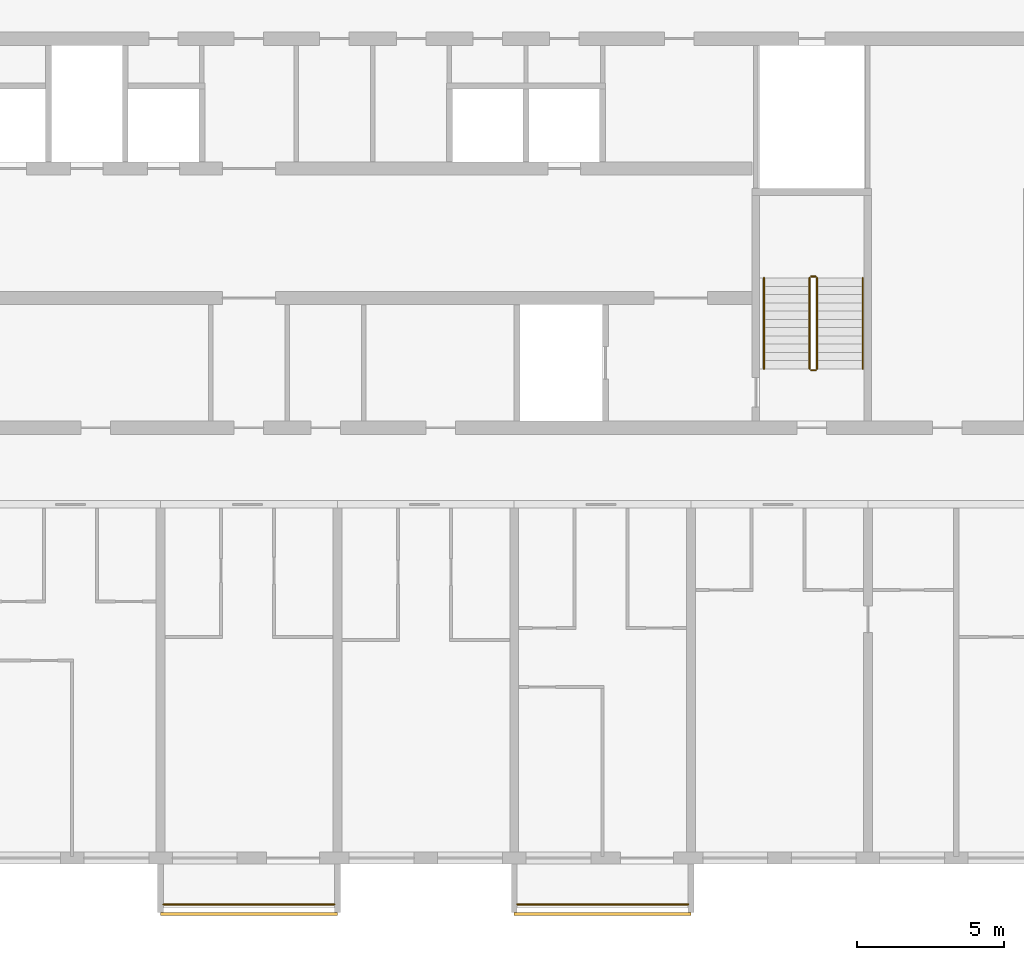
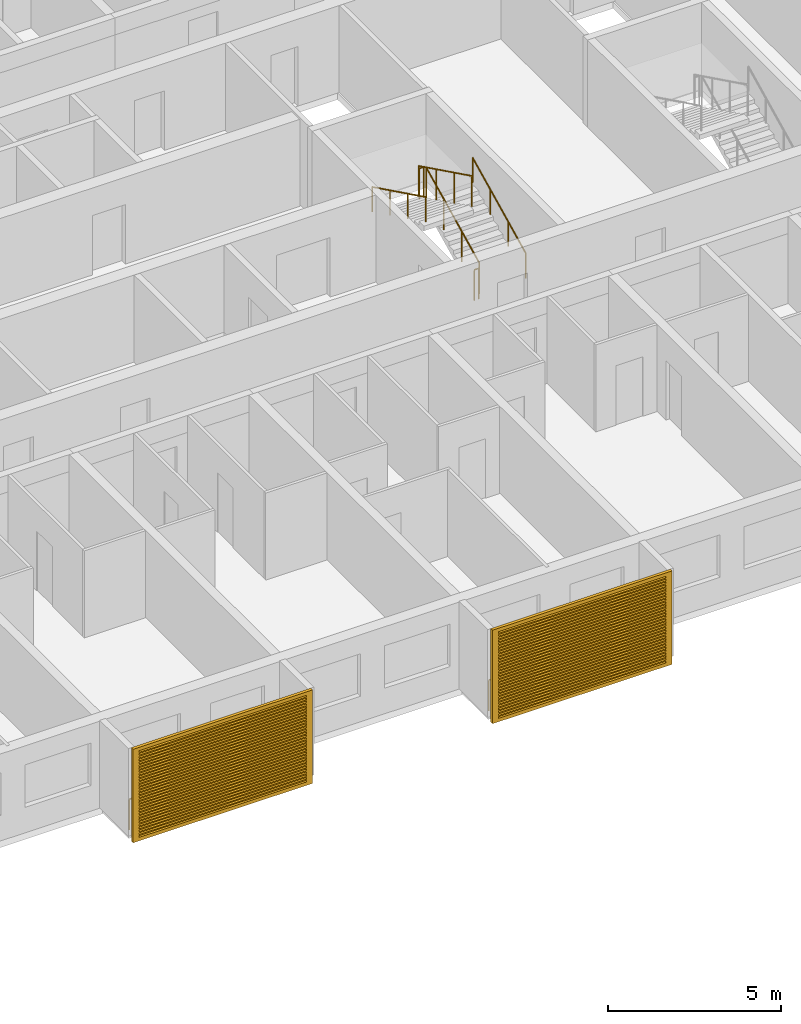
# One storey, part 15 of 31: 8 railings, 2 shading devices.
"""IFC4 building model written with IfcOpenShell, lengths in metres."""

from ifc_helpers import new_model, si_unit, direction, frame, origin, origin_2d, place, context, subcontext, project, spatial, polyline, circle, outline, extrude, source, transform, mapped, material, material_profile, profile_set, type_object, element, save


model = new_model("IFC4")

# Units and contexts
model_context = context("Model", 3, precision=1e-05, world=origin(), true_north=direction((0.0, 1.0)))
body_context = subcontext(model_context, "Body", "Model", "MODEL_VIEW")
ifc_project = project(units=[si_unit("LENGTHUNIT", "METRE"), si_unit("AREAUNIT", "SQUARE_METRE"), si_unit("VOLUMEUNIT", "CUBIC_METRE"), si_unit("PLANEANGLEUNIT", "RADIAN"), si_unit("MASSUNIT", "GRAM", prefix="KILO")], contexts=[model_context])

# Site, building, storey
site_placement = place(None, origin())
site = spatial("IfcSite", under=ifc_project, at=site_placement, CompositionType="ELEMENT")
building_placement = place(site_placement, origin())
building = spatial("IfcBuilding", under=site, at=building_placement, Name="Poui Terraces", CompositionType="ELEMENT")
storey_placement = place(building_placement, frame((0.0, 0.0, 148.800048828125)))
storey = spatial("IfcBuildingStorey", under=building, at=storey_placement, Name="L41", CompositionType="ELEMENT", Elevation=148.800048828125)

# Railings
ifc_material_1 = material(Name="Painted steel fretwork", Category="steel")
railing_type_1 = type_object("IfcRailingType", Name="BALCONY GUARD 1100", PredefinedType="GUARDRAIL", material=ifc_material_1)
for number, where, name in (
    (1, (48.10009765625, -1.570068359375, 0.0), "BALCONY GUARD"),
    (2, (60.10009765625, -1.570068359375, 0.0), "BALCONY GUARD"),
):
    element("IfcRailing", number, at=place(storey_placement, frame(where)), inside=storey, type_object=railing_type_1, Name=name, PredefinedType="GUARDRAIL", context=body_context, shape_type="SweptSolid", body=[
        extrude(circle(Radius=0.02392578125, at=origin_2d()), frame((0.0, 0.0, 1.076171875), z_axis=(1.0, 0.0, 0.0), x_axis=(0.0, 1.0, 0.0)), (0.0, 0.0, 1.0), 5.7998046875),
        extrude(circle(Radius=0.02099609375, at=origin_2d()), origin(), (0.0, 0.0, 1.0), 1.052001953125),
        extrude(circle(Radius=0.02099609375, at=origin_2d()), frame((0.966552734375, 0.0, 0.0)), (0.0, 0.0, 1.0), 1.052001953125),
        extrude(circle(Radius=0.02099609375, at=origin_2d()), frame((1.933349609375, 0.0, 0.0)), (0.0, 0.0, 1.0), 1.052001953125),
        extrude(circle(Radius=0.02099609375, at=origin_2d()), frame((2.89990234375, 0.0, 0.0)), (0.0, 0.0, 1.0), 1.052001953125),
        extrude(circle(Radius=0.02099609375, at=origin_2d()), frame((3.866455078125, 0.0, 0.0)), (0.0, 0.0, 1.0), 1.052001953125),
        extrude(circle(Radius=0.02099609375, at=origin_2d()), frame((4.833251953125, 0.0, 0.0)), (0.0, 0.0, 1.0), 1.052001953125),
        extrude(circle(Radius=0.02099609375, at=origin_2d()), frame((5.7998046875, 0.0, 0.0)), (0.0, 0.0, 1.0), 1.052001953125),
    ])
ifc_material_2 = material(Name="Galvanised steel balustrade", Category="steel")
railing_type_2 = type_object("IfcRailingType", Name="STAIR GUARD 1100", PredefinedType="GUARDRAIL", material=ifc_material_2)
railing_1_placement = place(storey_placement, frame((70.27490234375, 16.60009765625, 0.137451171875)))
element("IfcRailing", 3, at=railing_1_placement, inside=storey, type_object=railing_type_2, Name="L41 ST-CE stair guard 1", PredefinedType="GUARDRAIL", context=body_context, shape_type="SweptSolid", body=[
    extrude(circle(Radius=0.02392578125, at=origin_2d()), frame((0.0, 0.0, 1.076171875), z_axis=(0.0, 0.897606190399, 0.440798283751), x_axis=(-1.0, 0.0, 0.0)), (0.0, 0.0, 1.0), 3.43115234375),
    extrude(circle(Radius=0.02099609375, at=origin_2d()), origin(), (0.0, 0.0, 1.0), 1.052001953125),
    extrude(circle(Radius=0.02099609375, at=origin_2d()), frame((0.0, 1.026611328125, 0.504150390625)), (0.0, 0.0, 1.0), 1.052001953125),
    extrude(circle(Radius=0.02099609375, at=origin_2d()), frame((0.0, 2.05322265625, 1.00830078125)), (0.0, 0.0, 1.0), 1.052001953125),
    extrude(circle(Radius=0.02099609375, at=origin_2d()), frame((0.0, 3.079833984375, 1.512451171875)), (0.0, 0.0, 1.0), 1.052001953125),
])
railing_2_placement = place(storey_placement, frame((70.22509765625, 19.72998046875, 1.64990234375)))
element("IfcRailing", 4, at=railing_2_placement, inside=storey, type_object=railing_type_2, Name="L41 ST-CE stair guard 2", PredefinedType="GUARDRAIL", context=body_context, shape_type="SweptSolid", body=[
    extrude(circle(Radius=0.02392578125, at=origin_2d()), frame((0.0, 0.0, 1.076171875), z_axis=(-1.0, 0.0, 0.0), x_axis=(0.0, -1.0, 0.0)), (0.0, 0.0, 1.0), 0.150146484375),
    extrude(circle(Radius=0.02099609375, at=origin_2d()), origin(), (0.0, 0.0, 1.0), 1.052001953125),
    extrude(circle(Radius=0.02099609375, at=origin_2d()), frame((-0.150146484375, 0.0, 0.0)), (0.0, 0.0, 1.0), 1.052001953125),
])
railing_3_placement = place(storey_placement, frame((70.02490234375, 19.679931640625, 1.787353515625)))
element("IfcRailing", 5, at=railing_3_placement, inside=storey, type_object=railing_type_2, Name="L41 ST-CE stair guard 3", PredefinedType="GUARDRAIL", context=body_context, shape_type="SweptSolid", body=[
    extrude(circle(Radius=0.02392578125, at=origin_2d()), frame((0.0, 0.0, 1.076171875), z_axis=(0.0, -0.897578036475, 0.440855609512), x_axis=(1.0, 0.0, 0.0)), (0.0, 0.0, 1.0), 3.43115234375),
    extrude(circle(Radius=0.02099609375, at=origin_2d()), origin(), (0.0, 0.0, 1.0), 1.052001953125),
    extrude(circle(Radius=0.02099609375, at=origin_2d()), frame((0.0, -1.026611328125, 0.504150390625)), (0.0, 0.0, 1.0), 1.052001953125),
    extrude(circle(Radius=0.02099609375, at=origin_2d()), frame((0.0, -2.05322265625, 1.008544921875)), (0.0, 0.0, 1.0), 1.052001953125),
    extrude(circle(Radius=0.02099609375, at=origin_2d()), frame((0.0, -3.079833984375, 1.5126953125)), (0.0, 0.0, 1.0), 1.052001953125),
])
railing_4_placement = place(storey_placement, frame((70.22509765625, 16.550048828125, 0.0)))
element("IfcRailing", 6, at=railing_4_placement, inside=storey, type_object=railing_type_2, Name="L41 ST-CE stair guard 4", PredefinedType="GUARDRAIL", context=body_context, shape_type="SweptSolid", body=[
    extrude(circle(Radius=0.02392578125, at=origin_2d()), frame((0.0, 0.0, 1.076171875), z_axis=(-1.0, 0.0, 0.0), x_axis=(0.0, -1.0, 0.0)), (0.0, 0.0, 1.0), 0.150146484375),
    extrude(circle(Radius=0.02099609375, at=origin_2d()), origin(), (0.0, 0.0, 1.0), 1.052001953125),
    extrude(circle(Radius=0.02099609375, at=origin_2d()), frame((-0.150146484375, 0.0, 0.0)), (0.0, 0.0, 1.0), 1.052001953125),
])
ifc_material_3 = material(Name="Stainless steel handrail", Category="steel")
railing_type_3 = type_object("IfcRailingType", Name="STAIR HANDRAIL 900", PredefinedType="HANDRAIL", material=ifc_material_3)
railing_5_placement = place(storey_placement, frame((71.824951171875, 16.60009765625, 0.137451171875)))
element("IfcRailing", 7, at=railing_5_placement, inside=storey, type_object=railing_type_3, Name="L41 ST-CE stair handrail 1", PredefinedType="HANDRAIL", context=body_context, shape_type="SweptSolid", body=[
    extrude(circle(Radius=0.02392578125, at=origin_2d()), frame((0.0, 0.0, 0.8759765625), z_axis=(0.0, 0.897606190399, 0.440798283751), x_axis=(-1.0, 0.0, 0.0)), (0.0, 0.0, 1.0), 3.43115234375),
    extrude(circle(Radius=0.02099609375, at=origin_2d()), origin(), (0.0, 0.0, 1.0), 0.851806640625),
    extrude(circle(Radius=0.02099609375, at=origin_2d()), frame((0.0, 1.026611328125, 0.504150390625)), (0.0, 0.0, 1.0), 0.851806640625),
    extrude(circle(Radius=0.02099609375, at=origin_2d()), frame((0.0, 2.05322265625, 1.00830078125)), (0.0, 0.0, 1.0), 0.851806640625),
    extrude(circle(Radius=0.02099609375, at=origin_2d()), frame((0.0, 3.079833984375, 1.512451171875)), (0.0, 0.0, 1.0), 0.851806640625),
])
railing_6_placement = place(storey_placement, frame((68.47509765625, 19.679931640625, 1.787353515625)))
element("IfcRailing", 8, at=railing_6_placement, inside=storey, type_object=railing_type_3, Name="L41 ST-CE stair handrail 2", PredefinedType="HANDRAIL", context=body_context, shape_type="SweptSolid", body=[
    extrude(circle(Radius=0.02392578125, at=origin_2d()), frame((0.0, 0.0, 0.8759765625), z_axis=(0.0, -0.897578036475, 0.440855609512), x_axis=(1.0, 0.0, 0.0)), (0.0, 0.0, 1.0), 3.43115234375),
    extrude(circle(Radius=0.02099609375, at=origin_2d()), origin(), (0.0, 0.0, 1.0), 0.851806640625),
    extrude(circle(Radius=0.02099609375, at=origin_2d()), frame((0.0, -1.026611328125, 0.504150390625)), (0.0, 0.0, 1.0), 0.851806640625),
    extrude(circle(Radius=0.02099609375, at=origin_2d()), frame((0.0, -2.05322265625, 1.008544921875)), (0.0, 0.0, 1.0), 0.851806640625),
    extrude(circle(Radius=0.02099609375, at=origin_2d()), frame((0.0, -3.079833984375, 1.5126953125)), (0.0, 0.0, 1.0), 0.851806640625),
])

# Shading devices
ifc_material_4 = material(Name="Aluminium louvre", Category="aluminium")
ifc_material_profile = material_profile(ifc_material_4, outline(polyline([(-3.0, -1.64990234375), (3.0, -1.64990234375), (3.0, 1.64990234375), (-3.0, 1.64990234375), (-3.0, -1.64990234375)]), holes=[polyline([(-2.800048828125, -1.530029296875), (2.800048828125, -1.530029296875), (2.800048828125, -1.469970703125), (-2.800048828125, -1.469970703125), (-2.800048828125, -1.530029296875)]), polyline([(-2.800048828125, -1.429931640625), (2.800048828125, -1.429931640625), (2.800048828125, -1.3701171875), (-2.800048828125, -1.3701171875), (-2.800048828125, -1.429931640625)]), polyline([(-2.800048828125, -1.330078125), (2.800048828125, -1.330078125), (2.800048828125, -1.27001953125), (-2.800048828125, -1.27001953125), (-2.800048828125, -1.330078125)]), polyline([(-2.800048828125, -1.22998046875), (2.800048828125, -1.22998046875), (2.800048828125, -1.169921875), (-2.800048828125, -1.169921875), (-2.800048828125, -1.22998046875)]), polyline([(-2.800048828125, -1.1298828125), (2.800048828125, -1.1298828125), (2.800048828125, -1.070068359375), (-2.800048828125, -1.070068359375), (-2.800048828125, -1.1298828125)]), polyline([(-2.800048828125, -1.030029296875), (2.800048828125, -1.030029296875), (2.800048828125, -0.969970703125), (-2.800048828125, -0.969970703125), (-2.800048828125, -1.030029296875)]), polyline([(-2.800048828125, -0.929931640625), (2.800048828125, -0.929931640625), (2.800048828125, -0.8701171875), (-2.800048828125, -0.8701171875), (-2.800048828125, -0.929931640625)]), polyline([(-2.800048828125, -0.830078125), (2.800048828125, -0.830078125), (2.800048828125, -0.77001953125), (-2.800048828125, -0.77001953125), (-2.800048828125, -0.830078125)]), polyline([(-2.800048828125, -0.72998046875), (2.800048828125, -0.72998046875), (2.800048828125, -0.669921875), (-2.800048828125, -0.669921875), (-2.800048828125, -0.72998046875)]), polyline([(-2.800048828125, -0.6298828125), (2.800048828125, -0.6298828125), (2.800048828125, -0.570068359375), (-2.800048828125, -0.570068359375), (-2.800048828125, -0.6298828125)]), polyline([(-2.800048828125, -0.530029296875), (2.800048828125, -0.530029296875), (2.800048828125, -0.469970703125), (-2.800048828125, -0.469970703125), (-2.800048828125, -0.530029296875)]), polyline([(-2.800048828125, -0.429931640625), (2.800048828125, -0.429931640625), (2.800048828125, -0.3701171875), (-2.800048828125, -0.3701171875), (-2.800048828125, -0.429931640625)]), polyline([(-2.800048828125, -0.330078125), (2.800048828125, -0.330078125), (2.800048828125, -0.27001953125), (-2.800048828125, -0.27001953125), (-2.800048828125, -0.330078125)]), polyline([(-2.800048828125, -0.22998046875), (2.800048828125, -0.22998046875), (2.800048828125, -0.169921875), (-2.800048828125, -0.169921875), (-2.800048828125, -0.22998046875)]), polyline([(-2.800048828125, -0.1298828125), (2.800048828125, -0.1298828125), (2.800048828125, -0.070068359375), (-2.800048828125, -0.070068359375), (-2.800048828125, -0.1298828125)]), polyline([(-2.800048828125, -0.030029296875), (2.800048828125, -0.030029296875), (2.800048828125, 0.030029296875), (-2.800048828125, 0.030029296875), (-2.800048828125, -0.030029296875)]), polyline([(-2.800048828125, 0.070068359375), (2.800048828125, 0.070068359375), (2.800048828125, 0.1298828125), (-2.800048828125, 0.1298828125), (-2.800048828125, 0.070068359375)]), polyline([(-2.800048828125, 0.169921875), (2.800048828125, 0.169921875), (2.800048828125, 0.22998046875), (-2.800048828125, 0.22998046875), (-2.800048828125, 0.169921875)]), polyline([(-2.800048828125, 0.27001953125), (2.800048828125, 0.27001953125), (2.800048828125, 0.330078125), (-2.800048828125, 0.330078125), (-2.800048828125, 0.27001953125)]), polyline([(-2.800048828125, 0.3701171875), (2.800048828125, 0.3701171875), (2.800048828125, 0.429931640625), (-2.800048828125, 0.429931640625), (-2.800048828125, 0.3701171875)]), polyline([(-2.800048828125, 0.469970703125), (2.800048828125, 0.469970703125), (2.800048828125, 0.530029296875), (-2.800048828125, 0.530029296875), (-2.800048828125, 0.469970703125)]), polyline([(-2.800048828125, 0.570068359375), (2.800048828125, 0.570068359375), (2.800048828125, 0.6298828125), (-2.800048828125, 0.6298828125), (-2.800048828125, 0.570068359375)]), polyline([(-2.800048828125, 0.669921875), (2.800048828125, 0.669921875), (2.800048828125, 0.72998046875), (-2.800048828125, 0.72998046875), (-2.800048828125, 0.669921875)]), polyline([(-2.800048828125, 0.77001953125), (2.800048828125, 0.77001953125), (2.800048828125, 0.830078125), (-2.800048828125, 0.830078125), (-2.800048828125, 0.77001953125)]), polyline([(-2.800048828125, 0.8701171875), (2.800048828125, 0.8701171875), (2.800048828125, 0.929931640625), (-2.800048828125, 0.929931640625), (-2.800048828125, 0.8701171875)]), polyline([(-2.800048828125, 0.969970703125), (2.800048828125, 0.969970703125), (2.800048828125, 1.030029296875), (-2.800048828125, 1.030029296875), (-2.800048828125, 0.969970703125)]), polyline([(-2.800048828125, 1.070068359375), (2.800048828125, 1.070068359375), (2.800048828125, 1.1298828125), (-2.800048828125, 1.1298828125), (-2.800048828125, 1.070068359375)]), polyline([(-2.800048828125, 1.169921875), (2.800048828125, 1.169921875), (2.800048828125, 1.22998046875), (-2.800048828125, 1.22998046875), (-2.800048828125, 1.169921875)]), polyline([(-2.800048828125, 1.27001953125), (2.800048828125, 1.27001953125), (2.800048828125, 1.330078125), (-2.800048828125, 1.330078125), (-2.800048828125, 1.27001953125)]), polyline([(-2.800048828125, 1.3701171875), (2.800048828125, 1.3701171875), (2.800048828125, 1.429931640625), (-2.800048828125, 1.429931640625), (-2.800048828125, 1.3701171875)]), polyline([(-2.800048828125, 1.469970703125), (2.800048828125, 1.469970703125), (2.800048828125, 1.530029296875), (-2.800048828125, 1.530029296875), (-2.800048828125, 1.469970703125)])]), Name="JALOUSIE LOUVRE SHUTTER 6000X3300")
ifc_profile_set = profile_set([ifc_material_profile], Name="Aluminium louvre")
shading_device_type = type_object("IfcShadingDeviceType", Name="JALOUSIE LOUVRE SHUTTER 6000X3300", PredefinedType="JALOUSIE", material=ifc_profile_set)
shared_shape = source(origin(), body_context, "Body", "SweptSolid", [
    extrude(outline(polyline([(-3.0, -1.64990234375), (3.0, -1.64990234375), (3.0, 1.64990234375), (-3.0, 1.64990234375), (-3.0, -1.64990234375)]), holes=[polyline([(-2.800048828125, -1.530029296875), (2.800048828125, -1.530029296875), (2.800048828125, -1.469970703125), (-2.800048828125, -1.469970703125), (-2.800048828125, -1.530029296875)]), polyline([(-2.800048828125, -1.429931640625), (2.800048828125, -1.429931640625), (2.800048828125, -1.3701171875), (-2.800048828125, -1.3701171875), (-2.800048828125, -1.429931640625)]), polyline([(-2.800048828125, -1.330078125), (2.800048828125, -1.330078125), (2.800048828125, -1.27001953125), (-2.800048828125, -1.27001953125), (-2.800048828125, -1.330078125)]), polyline([(-2.800048828125, -1.22998046875), (2.800048828125, -1.22998046875), (2.800048828125, -1.169921875), (-2.800048828125, -1.169921875), (-2.800048828125, -1.22998046875)]), polyline([(-2.800048828125, -1.1298828125), (2.800048828125, -1.1298828125), (2.800048828125, -1.070068359375), (-2.800048828125, -1.070068359375), (-2.800048828125, -1.1298828125)]), polyline([(-2.800048828125, -1.030029296875), (2.800048828125, -1.030029296875), (2.800048828125, -0.969970703125), (-2.800048828125, -0.969970703125), (-2.800048828125, -1.030029296875)]), polyline([(-2.800048828125, -0.929931640625), (2.800048828125, -0.929931640625), (2.800048828125, -0.8701171875), (-2.800048828125, -0.8701171875), (-2.800048828125, -0.929931640625)]), polyline([(-2.800048828125, -0.830078125), (2.800048828125, -0.830078125), (2.800048828125, -0.77001953125), (-2.800048828125, -0.77001953125), (-2.800048828125, -0.830078125)]), polyline([(-2.800048828125, -0.72998046875), (2.800048828125, -0.72998046875), (2.800048828125, -0.669921875), (-2.800048828125, -0.669921875), (-2.800048828125, -0.72998046875)]), polyline([(-2.800048828125, -0.6298828125), (2.800048828125, -0.6298828125), (2.800048828125, -0.570068359375), (-2.800048828125, -0.570068359375), (-2.800048828125, -0.6298828125)]), polyline([(-2.800048828125, -0.530029296875), (2.800048828125, -0.530029296875), (2.800048828125, -0.469970703125), (-2.800048828125, -0.469970703125), (-2.800048828125, -0.530029296875)]), polyline([(-2.800048828125, -0.429931640625), (2.800048828125, -0.429931640625), (2.800048828125, -0.3701171875), (-2.800048828125, -0.3701171875), (-2.800048828125, -0.429931640625)]), polyline([(-2.800048828125, -0.330078125), (2.800048828125, -0.330078125), (2.800048828125, -0.27001953125), (-2.800048828125, -0.27001953125), (-2.800048828125, -0.330078125)]), polyline([(-2.800048828125, -0.22998046875), (2.800048828125, -0.22998046875), (2.800048828125, -0.169921875), (-2.800048828125, -0.169921875), (-2.800048828125, -0.22998046875)]), polyline([(-2.800048828125, -0.1298828125), (2.800048828125, -0.1298828125), (2.800048828125, -0.070068359375), (-2.800048828125, -0.070068359375), (-2.800048828125, -0.1298828125)]), polyline([(-2.800048828125, -0.030029296875), (2.800048828125, -0.030029296875), (2.800048828125, 0.030029296875), (-2.800048828125, 0.030029296875), (-2.800048828125, -0.030029296875)]), polyline([(-2.800048828125, 0.070068359375), (2.800048828125, 0.070068359375), (2.800048828125, 0.1298828125), (-2.800048828125, 0.1298828125), (-2.800048828125, 0.070068359375)]), polyline([(-2.800048828125, 0.169921875), (2.800048828125, 0.169921875), (2.800048828125, 0.22998046875), (-2.800048828125, 0.22998046875), (-2.800048828125, 0.169921875)]), polyline([(-2.800048828125, 0.27001953125), (2.800048828125, 0.27001953125), (2.800048828125, 0.330078125), (-2.800048828125, 0.330078125), (-2.800048828125, 0.27001953125)]), polyline([(-2.800048828125, 0.3701171875), (2.800048828125, 0.3701171875), (2.800048828125, 0.429931640625), (-2.800048828125, 0.429931640625), (-2.800048828125, 0.3701171875)]), polyline([(-2.800048828125, 0.469970703125), (2.800048828125, 0.469970703125), (2.800048828125, 0.530029296875), (-2.800048828125, 0.530029296875), (-2.800048828125, 0.469970703125)]), polyline([(-2.800048828125, 0.570068359375), (2.800048828125, 0.570068359375), (2.800048828125, 0.6298828125), (-2.800048828125, 0.6298828125), (-2.800048828125, 0.570068359375)]), polyline([(-2.800048828125, 0.669921875), (2.800048828125, 0.669921875), (2.800048828125, 0.72998046875), (-2.800048828125, 0.72998046875), (-2.800048828125, 0.669921875)]), polyline([(-2.800048828125, 0.77001953125), (2.800048828125, 0.77001953125), (2.800048828125, 0.830078125), (-2.800048828125, 0.830078125), (-2.800048828125, 0.77001953125)]), polyline([(-2.800048828125, 0.8701171875), (2.800048828125, 0.8701171875), (2.800048828125, 0.929931640625), (-2.800048828125, 0.929931640625), (-2.800048828125, 0.8701171875)]), polyline([(-2.800048828125, 0.969970703125), (2.800048828125, 0.969970703125), (2.800048828125, 1.030029296875), (-2.800048828125, 1.030029296875), (-2.800048828125, 0.969970703125)]), polyline([(-2.800048828125, 1.070068359375), (2.800048828125, 1.070068359375), (2.800048828125, 1.1298828125), (-2.800048828125, 1.1298828125), (-2.800048828125, 1.070068359375)]), polyline([(-2.800048828125, 1.169921875), (2.800048828125, 1.169921875), (2.800048828125, 1.22998046875), (-2.800048828125, 1.22998046875), (-2.800048828125, 1.169921875)]), polyline([(-2.800048828125, 1.27001953125), (2.800048828125, 1.27001953125), (2.800048828125, 1.330078125), (-2.800048828125, 1.330078125), (-2.800048828125, 1.27001953125)]), polyline([(-2.800048828125, 1.3701171875), (2.800048828125, 1.3701171875), (2.800048828125, 1.429931640625), (-2.800048828125, 1.429931640625), (-2.800048828125, 1.3701171875)]), polyline([(-2.800048828125, 1.469970703125), (2.800048828125, 1.469970703125), (2.800048828125, 1.530029296875), (-2.800048828125, 1.530029296875), (-2.800048828125, 1.469970703125)])]), origin(), (0.0, 0.0, 1.0), 0.099853515625),
])
for number, where, z_axis, x_axis, name in (
    (9, (51.0, -1.85009765625, 1.449951171875), (0.0, -1.0, 0.0), (1.0, 0.0, 0.0), "JALOUSIE LOUVRE SHUTTER"),
    (10, (63.0, -1.85009765625, 1.449951171875), (0.0, -1.0, 0.0), (1.0, 0.0, 0.0), "JALOUSIE LOUVRE SHUTTER"),
):
    element("IfcShadingDevice", number, at=place(storey_placement, frame(where, z_axis=z_axis, x_axis=x_axis)), inside=storey, type_object=shading_device_type, Name=name, PredefinedType="JALOUSIE", context=body_context, shape_type="MappedRepresentation", body=[
        mapped(shared_shape, transform((0.0, 0.0, 0.0))),
    ])

save(model, "model.ifc")
